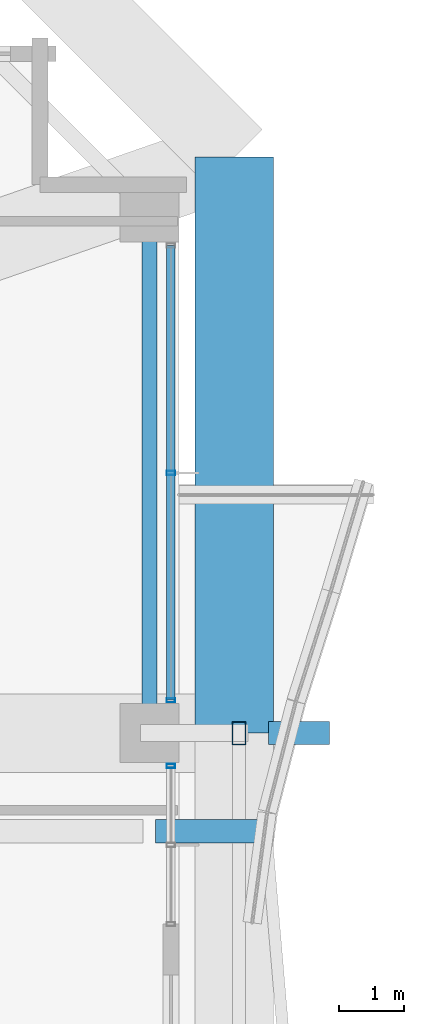
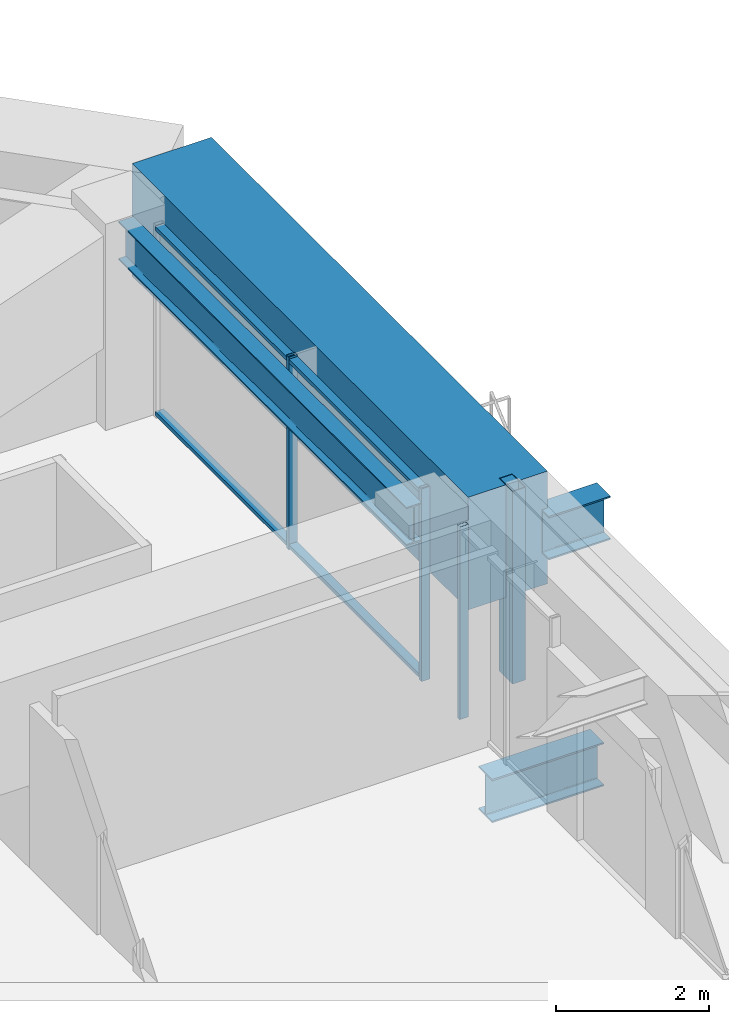
# One storey, part 20 of 40: 6 members, 4 beams, 2 elements without a shape of their own.
"""IFC4 building model written with IfcOpenShell, lengths in metres."""

from ifc_helpers import new_model, si_unit, direction, frame, origin, origin_2d, place, context, subcontext, project, spatial, rectangle, hollow_rectangle, i_section, extrude, material, material_profile, profile_set, type_object, element, aggregate, save


model = new_model("IFC4")

# Units and contexts
model_context = context("Model", 3, precision=1e-05, world=origin(), true_north=direction((0.0, 1.0)))
body_context = subcontext(model_context, "Body", "Model", "MODEL_VIEW")
ifc_project = project(units=[si_unit("LENGTHUNIT", "METRE"), si_unit("AREAUNIT", "SQUARE_METRE"), si_unit("VOLUMEUNIT", "CUBIC_METRE"), si_unit("PLANEANGLEUNIT", "RADIAN"), si_unit("MASSUNIT", "GRAM", prefix="KILO")], contexts=[model_context])

# Site, building, storey
site_placement = place(None, origin())
site = spatial("IfcSite", under=ifc_project, at=site_placement, CompositionType="ELEMENT")
building_placement = place(site_placement, origin())
building = spatial("IfcBuilding", under=site, at=building_placement, Name="Kolvaren Belvedere", CompositionType="ELEMENT")
storey_placement = place(building_placement, frame((0.0, 0.0, 170.10009765625)))
storey = spatial("IfcBuildingStorey", under=building, at=storey_placement, Name="L49", CompositionType="ELEMENT", Elevation=170.10009765625)

# Beams
ifc_material_1 = material(Name="Structural steel ASTM A992 Grade 50", Category="steel")
ifc_material_profile_1 = material_profile(ifc_material_1, i_section(OverallWidth=0.35498046875, OverallDepth=0.696044921875, WebThickness=0.015380859375, FlangeThickness=0.02490234375, FilletRadius=0.02197265625, at=origin_2d()), Name="W27X146")
ifc_profile_set_1 = profile_set([ifc_material_profile_1], Name="Structural steel ASTM A992 Grade 50")
beam_type_1 = type_object("IfcBeamType", Name="BM-CANT-BAL", PredefinedType="BEAM", material=ifc_profile_set_1)
beam_1_placement = place(storey_placement, frame((18.7451171875, 3.10009765625, -0.548095703125), z_axis=(1.0, 0.0, 0.0), x_axis=(0.0, 1.0, 0.0)))
element("IfcBeam", 1, at=beam_1_placement, inside=storey, type_object=beam_type_1, Name="L49 Planted Balcony Cantilever BAL-E-2", PredefinedType="BEAM", context=body_context, shape_type="SweptSolid", body=[
    extrude(i_section(OverallWidth=0.35498046875, OverallDepth=0.696044921875, WebThickness=0.015380859375, FlangeThickness=0.02490234375, FilletRadius=0.02197265625, at=origin_2d()), origin(), (0.0, 0.0, 1.0), 1.687255859375),
])
beam_2_placement = place(storey_placement, frame((20.469970703125, 4.60009765625, 2.141845703125), z_axis=(1.0, 0.0, 0.0), x_axis=(0.0, 1.0, 0.0)))
element("IfcBeam", 2, at=beam_2_placement, inside=storey, type_object=beam_type_1, Name="L49 East Picture-Frame Column Corbel P", PredefinedType="BEAM", context=body_context, shape_type="SweptSolid", body=[
    extrude(i_section(OverallWidth=0.35498046875, OverallDepth=0.696044921875, WebThickness=0.015380859375, FlangeThickness=0.02490234375, FilletRadius=0.02197265625, at=origin_2d()), origin(), (0.0, 0.0, 1.0), 0.929931640625),
])
ifc_material_2 = material(Name="Structural steel ASTM A992 Grade 50", Category="steel")
ifc_material_profile_2 = material_profile(ifc_material_2, i_section(OverallWidth=0.22900390625, OverallDepth=0.612060546875, WebThickness=0.011962890625, FlangeThickness=0.01953125, FilletRadius=0.01806640625, at=origin_2d()), Name="W24X84")
ifc_profile_set_2 = profile_set([ifc_material_profile_2], Name="Structural steel ASTM A992 Grade 50")
beam_type_2 = type_object("IfcBeamType", Name="BM-SPAN-W24X84", PredefinedType="SPANDREL", material=ifc_profile_set_2)
beam_3_placement = place(storey_placement, frame((18.64990234375, 4.802490234375, 2.77392578125), z_axis=(0.0, 1.0, 0.0), x_axis=(-1.0, 0.0, 0.0)))
element("IfcBeam", 3, at=beam_3_placement, inside=storey, type_object=beam_type_2, Name="L49 Perimeter Spandrel E3-E4", PredefinedType="SPANDREL", context=body_context, shape_type="SweptSolid", body=[
    extrude(i_section(OverallWidth=0.22900390625, OverallDepth=0.612060546875, WebThickness=0.011962890625, FlangeThickness=0.01953125, FilletRadius=0.01806640625, at=origin_2d()), origin(), (0.0, 0.0, 1.0), 7.544921875),
])
ifc_material_3 = material(Name="Concrete C50/60", Category="concrete")
ifc_material_profile_3 = material_profile(ifc_material_3, rectangle(XDim=1.199951171875, YDim=1.800048828125, at=origin_2d()), Name="RC 1200X1800")
ifc_profile_set_3 = profile_set([ifc_material_profile_3], Name="Concrete C50/60")
beam_type_3 = type_object("IfcBeamType", Name="BM-TG-1800", PredefinedType="BEAM", material=ifc_profile_set_3)
beam_4_placement = place(storey_placement, frame((19.949951171875, 4.60009765625, 2.179931640625), z_axis=(0.0, 1.0, 0.0), x_axis=(-1.0, 0.0, 0.0)))
element("IfcBeam", 4, at=beam_4_placement, inside=storey, type_object=beam_type_3, Name="L49 Step Transfer Ring Girder E3-E4", PredefinedType="BEAM", context=body_context, shape_type="SweptSolid", body=[
    extrude(rectangle(XDim=1.199951171875, YDim=1.800048828125, at=origin_2d()), origin(), (0.0, 0.0, 1.0), 8.7998046875),
])

# Curtain wall, members
ifc_material_4 = material(Name="Anodised pale-metal aluminium AA 6063-T6", Category="aluminium")
curtain_wall_type = type_object("IfcCurtainWallType", Name="CW-Z3-WAIST", PredefinedType="NOTDEFINED", material=ifc_material_4)
curtain_wall_1_placement = place(storey_placement, origin())
curtain_wall_1 = element("IfcCurtainWall", 5, at=curtain_wall_1_placement, inside=storey, type_object=curtain_wall_type, Name="L49 Unitised Curtain Wall FCW-L49-E1-B1", PredefinedType="NOTDEFINED")
ifc_material_5 = material(Name="Anodised pale-metal aluminium AA 6063-T6", Category="aluminium")
ifc_material_profile_4 = material_profile(ifc_material_5, hollow_rectangle(XDim=0.06494140625, YDim=0.1298828125, WallThickness=0.00390625, at=origin_2d()), Name="ALU-MUL-130X65")
ifc_profile_set_4 = profile_set([ifc_material_profile_4], Name="Anodised pale-metal aluminium AA 6063-T6")
member_type_1 = type_object("IfcMemberType", Name="CW-MUL-130", PredefinedType="MULLION", material=ifc_profile_set_4)
member_1_placement = place(storey_placement, frame((18.97998046875, 8.574951171875, 0.0), z_axis=(0.0, 0.0, 1.0), x_axis=(0.0, 1.0, 0.0)))
member_1 = element("IfcMember", 6, at=member_1_placement, type_object=member_type_1, Name="FCW-L49-E1-B1 Unitised Mullion 2", PredefinedType="MULLION", context=body_context, shape_type="SweptSolid", body=[
    extrude(hollow_rectangle(XDim=0.06494140625, YDim=0.1298828125, WallThickness=0.00390625, at=origin_2d()), origin(), (0.0, 0.0, 1.0), 3.079833984375),
])
member_2_placement = place(storey_placement, frame((18.97998046875, 5.1025390625, 0.0), z_axis=(0.0, 0.0, 1.0), x_axis=(0.0, 1.0, 0.0)))
member_2 = element("IfcMember", 7, at=member_2_placement, type_object=member_type_1, Name="FCW-L49-E1-B1 Unitised Mullion 3", PredefinedType="MULLION", context=body_context, shape_type="SweptSolid", body=[
    extrude(hollow_rectangle(XDim=0.06494140625, YDim=0.1298828125, WallThickness=0.00390625, at=origin_2d()), origin(), (0.0, 0.0, 1.0), 3.079833984375),
])

# Curtain wall, member
curtain_wall_2_placement = place(storey_placement, origin())
curtain_wall_2 = element("IfcCurtainWall", 8, at=curtain_wall_2_placement, inside=storey, type_object=curtain_wall_type, Name="L49 Unitised Curtain Wall FCW-L49-E1-B2", PredefinedType="NOTDEFINED")
member_3_placement = place(storey_placement, frame((18.97998046875, 4.097412109375, 0.0), z_axis=(0.0, 0.0, 1.0), x_axis=(0.0, 1.0, 0.0)))
member_3 = element("IfcMember", 9, at=member_3_placement, type_object=member_type_1, Name="FCW-L49-E1-B2 Unitised Mullion 1", PredefinedType="MULLION", context=body_context, shape_type="SweptSolid", body=[
    extrude(hollow_rectangle(XDim=0.06494140625, YDim=0.1298828125, WallThickness=0.00390625, at=origin_2d()), origin(), (0.0, 0.0, 1.0), 3.079833984375),
])
aggregate(curtain_wall_2, [member_3])

# Member
ifc_material_6 = material(Name="Anodised pale-metal aluminium AA 6063-T6", Category="aluminium")
ifc_material_profile_5 = material_profile(ifc_material_6, hollow_rectangle(XDim=0.06005859375, YDim=0.1298828125, WallThickness=0.00390625, at=origin_2d()), Name="ALU-TRN-130X60")
ifc_profile_set_5 = profile_set([ifc_material_profile_5], Name="Anodised pale-metal aluminium AA 6063-T6")
member_type_2 = type_object("IfcMemberType", Name="CW-TRN-130", PredefinedType="USERDEFINED", material=ifc_profile_set_5)
member_4_placement = place(storey_placement, frame((18.97998046875, 12.047607421875, 0.059814453125), z_axis=(0.0, -1.0, 0.0), x_axis=(0.0, 0.0, 1.0)))
member_4 = element("IfcMember", 10, at=member_4_placement, type_object=member_type_2, Name="FCW-L49-E1-B1 Sill Transom", ObjectType="TRANSOM", PredefinedType="USERDEFINED", context=body_context, shape_type="SweptSolid", body=[
    extrude(hollow_rectangle(XDim=0.06005859375, YDim=0.1298828125, WallThickness=0.00390625, at=origin_2d()), origin(), (0.0, 0.0, 1.0), 6.945068359375),
])

member_5_placement = place(storey_placement, frame((18.97998046875, 12.047607421875, 3.02001953125), z_axis=(0.0, -1.0, 0.0), x_axis=(0.0, 0.0, 1.0)))
member_5 = element("IfcMember", 11, at=member_5_placement, type_object=member_type_2, Name="FCW-L49-E1-B1 Head Transom", ObjectType="TRANSOM", PredefinedType="USERDEFINED", context=body_context, shape_type="SweptSolid", body=[
    extrude(hollow_rectangle(XDim=0.06005859375, YDim=0.1298828125, WallThickness=0.00390625, at=origin_2d()), origin(), (0.0, 0.0, 1.0), 6.945068359375),
])

aggregate(curtain_wall_1, [member_1, member_2, member_4, member_5])

ifc_material_7 = material(Name="Anodised pale-metal aluminium AA 6063-T6", Category="aluminium")
ifc_material_profile_6 = material_profile(ifc_material_7, hollow_rectangle(XDim=0.199951171875, YDim=0.35009765625, WallThickness=0.007568359375, at=origin_2d()), Name="ALU-PF-350X200")
ifc_profile_set_6 = profile_set([ifc_material_profile_6], Name="Anodised pale-metal aluminium AA 6063-T6")
member_type_3 = type_object("IfcMemberType", Name="PF-FRAME-350", PredefinedType="USERDEFINED", material=ifc_profile_set_6)
member_6_placement = place(storey_placement, frame((20.02001953125, 4.60009765625, 0.0), z_axis=(0.0, 0.0, 1.0), x_axis=(1.0, 0.0, 0.0)))
element("IfcMember", 12, at=member_6_placement, inside=storey, type_object=member_type_3, Name="L49 Outboard Picture-Frame Vertical E1", ObjectType="PICTURE FRAME FIN", PredefinedType="USERDEFINED", context=body_context, shape_type="SweptSolid", body=[
    extrude(hollow_rectangle(XDim=0.199951171875, YDim=0.35009765625, WallThickness=0.007568359375, at=origin_2d()), origin(), (0.0, 0.0, 1.0), 3.079833984375),
])

save(model, "model.ifc")
